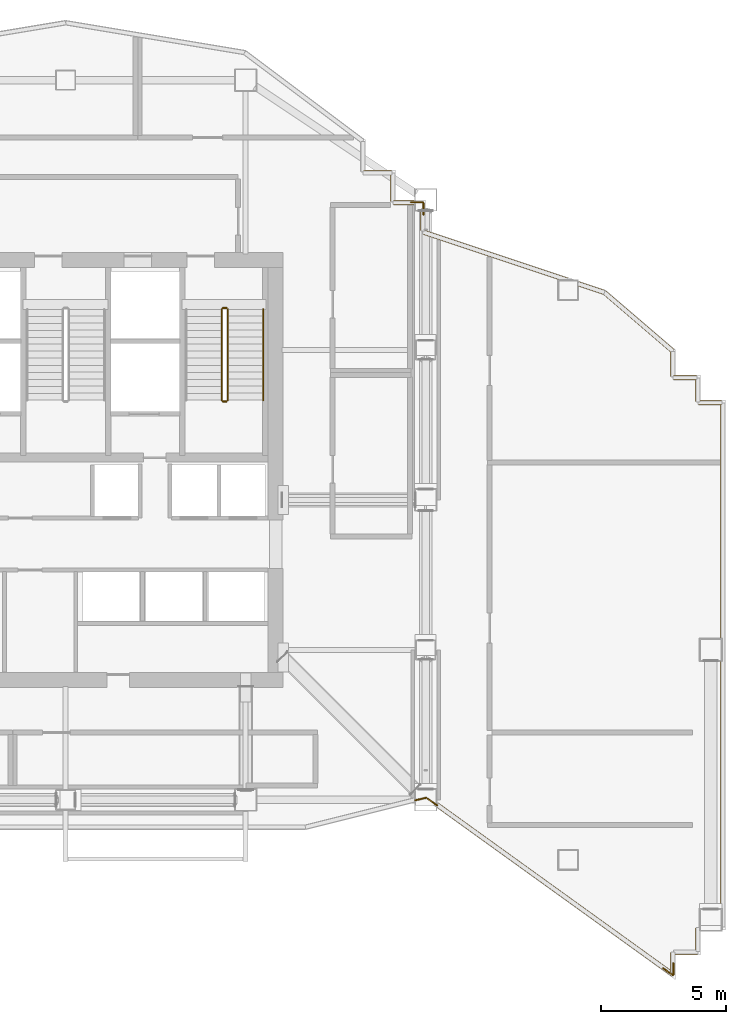
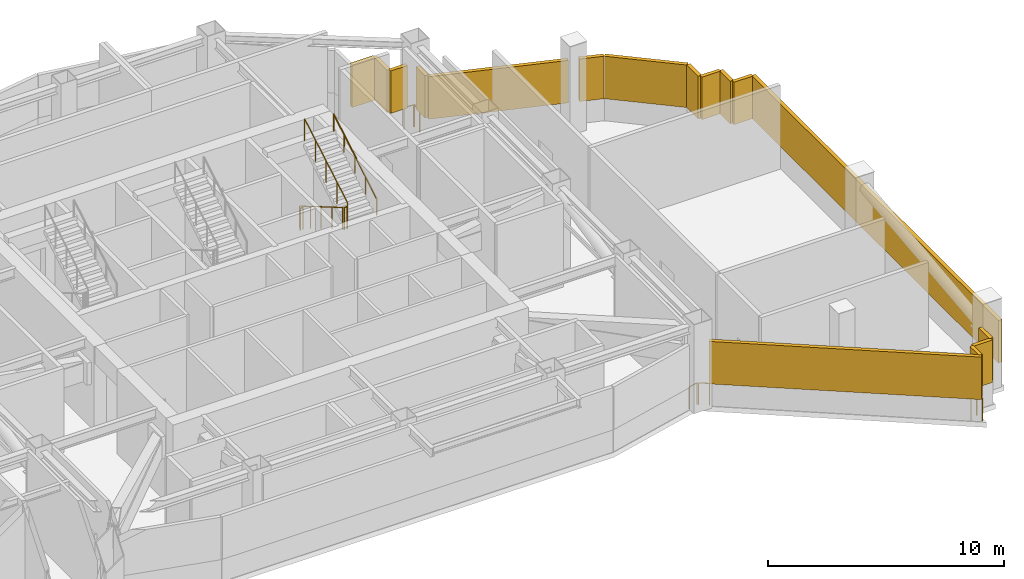
# One storey, part 18 of 19: 16 shading devices, 11 railings.
"""IFC4 building model written with IfcOpenShell, lengths in metres."""

import ifcopenshell
import ifcopenshell.guid

model = None  # the IFC model being written
_history = None  # IfcOwnerHistory: only IFC2X3 demands one
_inside = {}  # id of a spatial element -> (the spatial element, [elements in it])
_under = {}  # id of a project, library or spatial element -> (it, [spatial elements below it])
_declared = {}  # id of a project -> (the project, [libraries it declares])
_typed = {}  # id of a type object -> (the type object, [elements of that type])
_made_of = {}  # id of a material, layer set ... -> (it, [elements and type objects made of it])


def new_model(schema):
    """Start an empty IFC model of exactly this schema.

    Asked for "IFC4X3", IfcOpenShell would pick the latest addendum, in which some entities
    have other attributes; the version numbers below select the first issue.
    IFC2X3 requires an IfcOwnerHistory on every rooted entity: one is made here for all.
    """
    global model, _history
    if schema == "IFC4X3":
        model = ifcopenshell.file(schema_version=(4, 3, 0, 0))
    else:
        model = ifcopenshell.file(schema=schema)
    _inside.clear()
    _under.clear()
    _declared.clear()
    _typed.clear()
    _made_of.clear()
    _history = None
    if model.schema == "IFC2X3":
        org = make("IfcOrganization", Name="unknown")
        user = make(
            "IfcPersonAndOrganization",
            ThePerson=make("IfcPerson", FamilyName="unknown"),
            TheOrganization=org,
        )
        app = make(
            "IfcApplication",
            ApplicationDeveloper=org,
            Version="unknown",
            ApplicationFullName="unknown",
            ApplicationIdentifier="unknown",
        )
        _history = make(
            "IfcOwnerHistory",
            OwningUser=user,
            OwningApplication=app,
            ChangeAction="ADDED",
            CreationDate=0,
        )
    return model


def make(cls, **values):
    """One entity of the class cls with the attributes given. An attribute that is None is left unset."""
    return model.create_entity(
        cls, **{name: value for name, value in values.items() if value is not None}
    )


def rooted(cls, **values):
    """An entity with a GlobalId (a new one), such as an element, a storey or a relation."""
    return make(cls, GlobalId=ifcopenshell.guid.new(), OwnerHistory=_history, **values)


def si_unit(unit_type, name, prefix=None):
    """IfcSIUnit, for example si_unit("LENGTHUNIT", "METRE", prefix="MILLI")."""
    return make("IfcSIUnit", UnitType=unit_type, Prefix=prefix, Name=name)


def assignment(units):
    """IfcUnitAssignment: the units of a project."""
    return None if units is None else make("IfcUnitAssignment", Units=units)


def point(xyz):
    """IfcCartesianPoint."""
    return None if xyz is None else make("IfcCartesianPoint", Coordinates=xyz)


def direction(xyz):
    """IfcDirection."""
    return None if xyz is None else make("IfcDirection", DirectionRatios=xyz)


def frame(location, z_axis=None, x_axis=None):
    """IfcAxis2Placement3D, a coordinate frame: its origin and axes. An axis left out is left unset."""
    return make(
        "IfcAxis2Placement3D",
        Location=point(location),
        Axis=direction(z_axis),
        RefDirection=direction(x_axis),
    )


def frame_2d(location, x_axis=None):
    """IfcAxis2Placement2D, a coordinate frame in the plane: its origin and x axis."""
    return make(
        "IfcAxis2Placement2D", Location=point(location), RefDirection=direction(x_axis)
    )


def origin():
    """The frame at (0, 0, 0) with its axes left unset."""
    return frame((0.0, 0.0, 0.0))


def origin_2d():
    """The frame at (0, 0) in the plane with its x axis left unset."""
    return frame_2d((0.0, 0.0))


def place(relative_to, where):
    """IfcLocalPlacement: puts the frame where relative to a parent placement (None: the world)."""
    return make(
        "IfcLocalPlacement", PlacementRelTo=relative_to, RelativePlacement=where
    )


def context(
    kind, dimensions, precision=None, world=None, true_north=None, identifier=None
):
    """IfcGeometricRepresentationContext, for example the 3D "Model" context."""
    return make(
        "IfcGeometricRepresentationContext",
        ContextIdentifier=identifier,
        ContextType=kind,
        CoordinateSpaceDimension=dimensions,
        Precision=precision,
        WorldCoordinateSystem=world,
        TrueNorth=true_north,
    )


def subcontext(parent, identifier, kind, view, scale=None):
    """IfcGeometricRepresentationSubContext, for example "Body" below "Model"."""
    return make(
        "IfcGeometricRepresentationSubContext",
        ContextIdentifier=identifier,
        ContextType=kind,
        ParentContext=parent,
        TargetScale=scale,
        TargetView=view,
    )


def project(units=None, contexts=None):
    """IfcProject with its units and contexts."""
    return rooted(
        "IfcProject",
        Name="project",
        RepresentationContexts=contexts,
        UnitsInContext=assignment(units),
    )


def spatial(cls, under=None, at=None, **own):
    """A site, building, storey or space (cls), placed at a placement, below another one or the project."""
    s = rooted(cls, ObjectPlacement=at, **own)
    if under is not None:
        _under.setdefault(under.id(), (under, []))[1].append(s)
    return s


def profile(cls, at=None, kind="AREA", **sizes):
    """A parametric profile (cls). Its sizes go by their IFC names, for example OverallWidth=200.0."""
    return make(cls, ProfileType=kind, Position=at, **sizes)


def rectangle(**sizes):
    """IfcRectangleProfileDef."""
    return profile("IfcRectangleProfileDef", **sizes)


def circle(**sizes):
    """IfcCircleProfileDef."""
    return profile("IfcCircleProfileDef", **sizes)


def extrude(swept, where, along, depth):
    """IfcExtrudedAreaSolid: the profile swept, set in the frame where, extruded along a direction by depth."""
    return make(
        "IfcExtrudedAreaSolid",
        SweptArea=swept,
        Position=where,
        ExtrudedDirection=direction(along),
        Depth=depth,
    )


def shape(context_of_items, identifier, shape_type, items):
    """IfcShapeRepresentation: the items that make up one representation, for example the "Body"."""
    return make(
        "IfcShapeRepresentation",
        ContextOfItems=context_of_items,
        RepresentationIdentifier=identifier,
        RepresentationType=shape_type,
        Items=items,
    )


def material(Name=None, Category=None):
    """IfcMaterial."""
    return make("IfcMaterial", Name=Name, Category=Category)


def made_of(thing, what):
    """Note that an element or type object is made of a material, layer set ...; save() writes the relation."""
    if what is not None:
        _made_of.setdefault(what.id(), (what, []))[1].append(thing)
    return thing


def type_object(cls, material=None, **own):
    """A type object (cls), such as IfcWallType, which elements share."""
    return made_of(rooted(cls, **own), material)


def element(
    cls,
    number,
    at=None,
    inside=None,
    cuts=None,
    type_object=None,
    material=None,
    context=None,
    identifier="Body",
    shape_type=None,
    held_by="IfcProductDefinitionShape",
    body=None,
    shapes=None,
    **own,
):
    """One element of the class cls, such as IfcWall. Its Tag is "e" and its number.

    at: its placement. inside: the storey or other place that contains it. cuts: it is an
    opening in that element (IfcRelVoidsElement). A single representation is given by context,
    identifier, shape_type and body (its items); several are given by shapes. held_by: the class
    of the entity that holds the representations. save() writes the other relations.
    """
    e = rooted(cls, Tag="e%d" % number, ObjectPlacement=at, **own)
    if body is not None:
        shapes = [shape(context, identifier, shape_type, body)]
    if shapes is not None:
        e.Representation = make(held_by, Representations=shapes)
    if inside is not None:
        _inside.setdefault(inside.id(), (inside, []))[1].append(e)
    if cuts is not None:
        rooted(
            "IfcRelVoidsElement", RelatingBuildingElement=cuts, RelatedOpeningElement=e
        )
    if type_object is not None:
        _typed.setdefault(type_object.id(), (type_object, []))[1].append(e)
    return made_of(e, material)


def aggregate(whole, parts):
    """IfcRelAggregates: a whole, such as a stair, and the parts it consists of."""
    return rooted("IfcRelAggregates", RelatingObject=whole, RelatedObjects=parts)


def save(model, path):
    """Write the relations noted so far, then the file.

    IfcRelAggregates (storeys below a building ...), IfcRelContainedInSpatialStructure (elements
    in a storey), IfcRelDefinesByType, IfcRelAssociatesMaterial and IfcRelDeclares: one each for
    every whole, place, type object, material and project.
    """
    for whole, parts in _under.values():
        aggregate(whole, parts)
    for where, things in _inside.values():
        rooted(
            "IfcRelContainedInSpatialStructure",
            RelatedElements=things,
            RelatingStructure=where,
        )
    for kind, things in _typed.values():
        rooted("IfcRelDefinesByType", RelatedObjects=things, RelatingType=kind)
    for what, things in _made_of.values():
        rooted("IfcRelAssociatesMaterial", RelatedObjects=things, RelatingMaterial=what)
    for by, libraries in _declared.values():
        rooted("IfcRelDeclares", RelatingContext=by, RelatedDefinitions=libraries)
    model.write(path)


model = new_model("IFC4")

# Units and contexts
model_context = context("Model", 3, precision=1e-05, world=origin(), true_north=direction((0.0, 1.0)))
body_context = subcontext(model_context, "Body", "Model", "MODEL_VIEW")
ifc_project = project(units=[si_unit("LENGTHUNIT", "METRE"), si_unit("AREAUNIT", "SQUARE_METRE"), si_unit("VOLUMEUNIT", "CUBIC_METRE"), si_unit("PLANEANGLEUNIT", "RADIAN"), si_unit("MASSUNIT", "GRAM", prefix="KILO")], contexts=[model_context])

# Site, building, storey
site_placement = place(None, origin())
site = spatial("IfcSite", under=ifc_project, at=site_placement, CompositionType="ELEMENT")
building_placement = place(site_placement, origin())
building = spatial("IfcBuilding", under=site, at=building_placement, Name="Haolan Belvedere Tower", CompositionType="ELEMENT")
storey_placement = place(building_placement, frame((0.0, 0.0, 230.60009765625)))
storey = spatial("IfcBuildingStorey", under=building, at=storey_placement, Name="L58", CompositionType="ELEMENT", Elevation=230.60009765625)

# Railings
ifc_material_1 = material(Name="Galvanised powder-coated steel guardrail", Category="steel")
railing_type_1 = type_object("IfcRailingType", Name="RL-REF-GRD-1150", PredefinedType="GUARDRAIL", material=ifc_material_1)
railing_1_placement = place(storey_placement, frame((53.25830078125, 21.380859375, 0.0)))
element("IfcRailing", 1, at=railing_1_placement, inside=storey, type_object=railing_type_1, Name="L58 refuge corner safety guardrail 2A", PredefinedType="GUARDRAIL", context=body_context, shape_type="SweptSolid", body=[
    extrude(circle(Radius=0.02392578125, at=origin_2d()), frame((0.0, 0.0, 1.1259765625), z_axis=(-0.811445651793, 0.584427886215, 0.0), x_axis=(-0.584427886215, -0.811445651793, 0.0)), (0.0, 0.0, 1.0), 0.469970703125),
    extrude(circle(Radius=0.02099609375, at=origin_2d()), origin(), (0.0, 0.0, 1.0), 1.101806640625),
    extrude(circle(Radius=0.02099609375, at=origin_2d()), frame((-0.38134765625, 0.274658203125, 0.0)), (0.0, 0.0, 1.0), 1.101806640625),
])
railing_2_placement = place(storey_placement, frame((52.828125, 21.690673828125, 0.0)))
element("IfcRailing", 2, at=railing_2_placement, inside=storey, type_object=railing_type_1, Name="L58 refuge corner safety guardrail 2B", PredefinedType="GUARDRAIL", context=body_context, shape_type="SweptSolid", body=[
    extrude(circle(Radius=0.02392578125, at=origin_2d()), frame((0.0, 0.0, 1.1259765625), z_axis=(-0.974532291101, -0.224247215372, 0.0), x_axis=(0.224247215372, -0.974532291101, 0.0)), (0.0, 0.0, 1.0), 0.466064453125),
    extrude(circle(Radius=0.02099609375, at=origin_2d()), origin(), (0.0, 0.0, 1.0), 1.101806640625),
    extrude(circle(Radius=0.02099609375, at=origin_2d()), frame((-0.4541015625, -0.1044921875, 0.0)), (0.0, 0.0, 1.0), 1.101806640625),
])
railing_3_placement = place(storey_placement, frame((62.7099609375, 15.07568359375, 0.0)))
element("IfcRailing", 3, at=railing_3_placement, inside=storey, type_object=railing_type_1, Name="L58 refuge corner safety guardrail 3A", PredefinedType="GUARDRAIL", context=body_context, shape_type="SweptSolid", body=[
    extrude(circle(Radius=0.02392578125, at=origin_2d()), frame((0.0, 0.0, 1.1259765625), z_axis=(0.0, -1.0, 0.0), x_axis=(1.0, 0.0, 0.0)), (0.0, 0.0, 1.0), 0.469970703125),
    extrude(circle(Radius=0.02099609375, at=origin_2d()), origin(), (0.0, 0.0, 1.0), 1.101806640625),
    extrude(circle(Radius=0.02099609375, at=origin_2d()), frame((0.0, -0.469970703125, 0.0)), (0.0, 0.0, 1.0), 1.101806640625),
])
railing_4_placement = place(storey_placement, frame((62.685791015625, 14.59326171875, 0.0)))
element("IfcRailing", 4, at=railing_4_placement, inside=storey, type_object=railing_type_1, Name="L58 refuge corner safety guardrail 3B", PredefinedType="GUARDRAIL", context=body_context, shape_type="SweptSolid", body=[
    extrude(circle(Radius=0.02392578125, at=origin_2d()), frame((0.0, 0.0, 1.1259765625), z_axis=(-0.811622975054, 0.584181603925, 0.0), x_axis=(-0.584181603925, -0.811622975054, 0.0)), (0.0, 0.0, 1.0), 0.47021484375),
    extrude(circle(Radius=0.02099609375, at=origin_2d()), origin(), (0.0, 0.0, 1.0), 1.101806640625),
    extrude(circle(Radius=0.02099609375, at=origin_2d()), frame((-0.381591796875, 0.274658203125, 0.0)), (0.0, 0.0, 1.0), 1.101806640625),
])
railing_5_placement = place(storey_placement, frame((52.2099609375, 45.510009765625, 0.0)))
element("IfcRailing", 5, at=railing_5_placement, inside=storey, type_object=railing_type_1, Name="L58 refuge corner safety guardrail 4A", PredefinedType="GUARDRAIL", context=body_context, shape_type="SweptSolid", body=[
    extrude(circle(Radius=0.02392578125, at=origin_2d()), frame((0.0, 0.0, 1.1259765625), z_axis=(1.0, 0.0, 0.0), x_axis=(0.0, 1.0, 0.0)), (0.0, 0.0, 1.0), 0.469970703125),
    extrude(circle(Radius=0.02099609375, at=origin_2d()), origin(), (0.0, 0.0, 1.0), 1.101806640625),
    extrude(circle(Radius=0.02099609375, at=origin_2d()), frame((0.469970703125, 0.0, 0.0)), (0.0, 0.0, 1.0), 1.101806640625),
])
railing_6_placement = place(storey_placement, frame((52.7099609375, 45.47998046875, 0.0)))
element("IfcRailing", 6, at=railing_6_placement, inside=storey, type_object=railing_type_1, Name="L58 refuge corner safety guardrail 4B", PredefinedType="GUARDRAIL", context=body_context, shape_type="SweptSolid", body=[
    extrude(circle(Radius=0.02392578125, at=origin_2d()), frame((0.0, 0.0, 1.1259765625), z_axis=(0.0, -1.0, 0.0), x_axis=(1.0, 0.0, 0.0)), (0.0, 0.0, 1.0), 0.469970703125),
    extrude(circle(Radius=0.02099609375, at=origin_2d()), origin(), (0.0, 0.0, 1.0), 1.101806640625),
    extrude(circle(Radius=0.02099609375, at=origin_2d()), frame((0.0, -0.469970703125, 0.0)), (0.0, 0.0, 1.0), 1.101806640625),
])
ifc_material_2 = material(Name="Brushed stainless steel 304", Category="steel")
railing_type_2 = type_object("IfcRailingType", Name="RL-STAIR-GRD-1150", PredefinedType="GUARDRAIL", material=ifc_material_2)
railing_7_placement = place(storey_placement, frame((44.639892578125, 41.22998046875, 0.164306640625)))
element("IfcRailing", 7, at=railing_7_placement, inside=storey, type_object=railing_type_2, Name="L58 ST2 stair guard 1", PredefinedType="GUARDRAIL", context=body_context, shape_type="SweptSolid", body=[
    extrude(circle(Radius=0.02392578125, at=origin_2d()), frame((0.0, 0.0, 1.1259765625), z_axis=(0.0, -0.862515142463, 0.50603125301), x_axis=(1.0, 0.0, 0.0)), (0.0, 0.0, 1.0), 4.219970703125),
    extrude(circle(Radius=0.02099609375, at=origin_2d()), origin(), (0.0, 0.0, 1.0), 1.101806640625),
    extrude(circle(Radius=0.02099609375, at=origin_2d()), frame((0.0, -0.909912109375, 0.533935546875)), (0.0, 0.0, 1.0), 1.101806640625),
    extrude(circle(Radius=0.02099609375, at=origin_2d()), frame((0.0, -1.81982421875, 1.06787109375)), (0.0, 0.0, 1.0), 1.101806640625),
    extrude(circle(Radius=0.02099609375, at=origin_2d()), frame((0.0, -2.72998046875, 1.6015625)), (0.0, 0.0, 1.0), 1.101806640625),
    extrude(circle(Radius=0.02099609375, at=origin_2d()), frame((0.0, -3.639892578125, 2.135498046875)), (0.0, 0.0, 1.0), 1.101806640625),
])
railing_8_placement = place(storey_placement, frame((44.68994140625, 37.5400390625, 2.2998046875)))
element("IfcRailing", 8, at=railing_8_placement, inside=storey, type_object=railing_type_2, Name="L58 ST2 stair guard 2", PredefinedType="GUARDRAIL", context=body_context, shape_type="SweptSolid", body=[
    extrude(circle(Radius=0.02392578125, at=origin_2d()), frame((0.0, 0.0, 1.1259765625), z_axis=(1.0, 0.0, 0.0), x_axis=(0.0, 1.0, 0.0)), (0.0, 0.0, 1.0), 0.14013671875),
    extrude(circle(Radius=0.02099609375, at=origin_2d()), origin(), (0.0, 0.0, 1.0), 1.101806640625),
    extrude(circle(Radius=0.02099609375, at=origin_2d()), frame((0.14013671875, 0.0, 0.0)), (0.0, 0.0, 1.0), 1.101806640625),
])
railing_9_placement = place(storey_placement, frame((44.8798828125, 37.590087890625, 2.464111328125)))
element("IfcRailing", 9, at=railing_9_placement, inside=storey, type_object=railing_type_2, Name="L58 ST2 stair guard 3", PredefinedType="GUARDRAIL", context=body_context, shape_type="SweptSolid", body=[
    extrude(circle(Radius=0.02392578125, at=origin_2d()), frame((0.0, 0.0, 1.1259765625), z_axis=(0.0, 0.862489892076, 0.506074289079), x_axis=(-1.0, 0.0, 0.0)), (0.0, 0.0, 1.0), 4.22021484375),
    extrude(circle(Radius=0.02099609375, at=origin_2d()), origin(), (0.0, 0.0, 1.0), 1.101806640625),
    extrude(circle(Radius=0.02099609375, at=origin_2d()), frame((0.0, 0.909912109375, 0.533935546875)), (0.0, 0.0, 1.0), 1.101806640625),
    extrude(circle(Radius=0.02099609375, at=origin_2d()), frame((0.0, 1.81982421875, 1.06787109375)), (0.0, 0.0, 1.0), 1.101806640625),
    extrude(circle(Radius=0.02099609375, at=origin_2d()), frame((0.0, 2.72998046875, 1.601806640625)), (0.0, 0.0, 1.0), 1.101806640625),
    extrude(circle(Radius=0.02099609375, at=origin_2d()), frame((0.0, 3.639892578125, 2.1357421875)), (0.0, 0.0, 1.0), 1.101806640625),
])
railing_10_placement = place(storey_placement, frame((44.68994140625, 41.280029296875, 0.0)))
element("IfcRailing", 10, at=railing_10_placement, inside=storey, type_object=railing_type_2, Name="L58 ST2 stair guard 4", PredefinedType="GUARDRAIL", context=body_context, shape_type="SweptSolid", body=[
    extrude(circle(Radius=0.02392578125, at=origin_2d()), frame((0.0, 0.0, 1.1259765625), z_axis=(1.0, 0.0, 0.0), x_axis=(0.0, 1.0, 0.0)), (0.0, 0.0, 1.0), 0.14013671875),
    extrude(circle(Radius=0.02099609375, at=origin_2d()), origin(), (0.0, 0.0, 1.0), 1.101806640625),
    extrude(circle(Radius=0.02099609375, at=origin_2d()), frame((0.14013671875, 0.0, 0.0)), (0.0, 0.0, 1.0), 1.101806640625),
])
railing_type_3 = type_object("IfcRailingType", Name="RL-STAIR-HND-900", PredefinedType="HANDRAIL", material=ifc_material_2)
railing_11_placement = place(storey_placement, frame((46.300048828125, 37.590087890625, 2.464111328125)))
element("IfcRailing", 11, at=railing_11_placement, inside=storey, type_object=railing_type_3, Name="L58 ST2 stair handrail 2", PredefinedType="HANDRAIL", context=body_context, shape_type="SweptSolid", body=[
    extrude(circle(Radius=0.02392578125, at=origin_2d()), frame((0.0, 0.0, 0.8759765625), z_axis=(0.0, 0.862489892076, 0.506074289079), x_axis=(-1.0, 0.0, 0.0)), (0.0, 0.0, 1.0), 4.22021484375),
    extrude(circle(Radius=0.02099609375, at=origin_2d()), origin(), (0.0, 0.0, 1.0), 0.851806640625),
    extrude(circle(Radius=0.02099609375, at=origin_2d()), frame((0.0, 0.909912109375, 0.533935546875)), (0.0, 0.0, 1.0), 0.851806640625),
    extrude(circle(Radius=0.02099609375, at=origin_2d()), frame((0.0, 1.81982421875, 1.06787109375)), (0.0, 0.0, 1.0), 0.851806640625),
    extrude(circle(Radius=0.02099609375, at=origin_2d()), frame((0.0, 2.72998046875, 1.601806640625)), (0.0, 0.0, 1.0), 0.851806640625),
    extrude(circle(Radius=0.02099609375, at=origin_2d()), frame((0.0, 3.639892578125, 2.1357421875)), (0.0, 0.0, 1.0), 0.851806640625),
])

# Shading devices
ifc_material_3 = material(Name="Anodised champagne-silver aluminium 6063-T6", Category="aluminium")
shading_device_type = type_object("IfcShadingDeviceType", Name="SHD-LOUV-180", PredefinedType="JALOUSIE", material=ifc_material_3)
shading_device_1_placement = place(storey_placement, frame((57.966064453125, 18.01611328125, 1.14990234375), z_axis=(0.0, 0.0, 1.0), x_axis=(0.811533191666, -0.584306322766, 0.0)))
element("IfcShadingDevice", 12, at=shading_device_1_placement, inside=storey, type_object=shading_device_type, Name="L58 refuge storm-proof louvre bank 3.1", PredefinedType="JALOUSIE", context=body_context, shape_type="SweptSolid", body=[
    extrude(rectangle(XDim=11.602294921875, YDim=0.179931640625, at=origin_2d()), origin(), (0.0, 0.0, 1.0), 2.199951171875),
])
shading_device_2_placement = place(storey_placement, frame((62.68994140625, 15.107421875, 1.14990234375), z_axis=(0.0, 0.0, 1.0), x_axis=(0.0, 1.0, 0.0)))
element("IfcShadingDevice", 13, at=shading_device_2_placement, inside=storey, type_object=shading_device_type, Name="L58 refuge storm-proof louvre bank 4.1", PredefinedType="JALOUSIE", context=body_context, shape_type="SweptSolid", body=[
    extrude(rectangle(XDim=0.765380859375, YDim=0.179931640625, at=origin_2d()), origin(), (0.0, 0.0, 1.0), 2.199951171875),
])
for number, where, z_axis, x_axis, name in (
    (14, (63.205078125, 15.510009765625, 1.14990234375), (0.0, 0.0, 1.0), (1.0, 0.0, 0.0), "L58 refuge storm-proof louvre bank 5.1"),
    (15, (63.68994140625, 16.02490234375, 1.14990234375), (0.0, 0.0, 1.0), (0.0, 1.0, 0.0), "L58 refuge storm-proof louvre bank 6.1"),
):
    element("IfcShadingDevice", number, at=place(storey_placement, frame(where, z_axis=z_axis, x_axis=x_axis)), inside=storey, type_object=shading_device_type, Name=name, PredefinedType="JALOUSIE", context=body_context, shape_type="SweptSolid", body=[
        extrude(rectangle(XDim=0.929931640625, YDim=0.179931640625, at=origin_2d()), origin(), (0.0, 0.0, 1.0), 2.199951171875),
    ])
shading_device_3_placement = place(storey_placement, frame((64.68994140625, 27.0, 1.14990234375), z_axis=(0.0, 0.0, 1.0), x_axis=(0.0, 1.0, 0.0)))
element("IfcShadingDevice", 16, at=shading_device_3_placement, inside=storey, type_object=shading_device_type, Name="L58 refuge storm-proof louvre bank 8.1", PredefinedType="JALOUSIE", context=body_context, shape_type="SweptSolid", body=[
    extrude(rectangle(XDim=20.93994140625, YDim=0.179931640625, at=origin_2d()), origin(), (0.0, 0.0, 1.0), 2.199951171875),
])
for number, where, z_axis, x_axis, name in (
    (17, (64.175048828125, 37.489990234375, 1.14990234375), (0.0, 0.0, 1.0), (-1.0, 0.0, 0.0), "L58 refuge storm-proof louvre bank 9.1"),
    (18, (63.68994140625, 38.0048828125, 1.14990234375), (0.0, 0.0, 1.0), (0.0, 1.0, 0.0), "L58 refuge storm-proof louvre bank 10.1"),
    (19, (63.175048828125, 38.489990234375, 1.14990234375), (0.0, 0.0, 1.0), (-1.0, 0.0, 0.0), "L58 refuge storm-proof louvre bank 11.1"),
):
    element("IfcShadingDevice", number, at=place(storey_placement, frame(where, z_axis=z_axis, x_axis=x_axis)), inside=storey, type_object=shading_device_type, Name=name, PredefinedType="JALOUSIE", context=body_context, shape_type="SweptSolid", body=[
        extrude(rectangle(XDim=0.929931640625, YDim=0.179931640625, at=origin_2d()), origin(), (0.0, 0.0, 1.0), 2.199951171875),
    ])
shading_device_4_placement = place(storey_placement, frame((62.68994140625, 39.03466796875, 1.14990234375), z_axis=(0.0, 0.0, 1.0), x_axis=(0.0, 1.0, 0.0)))
element("IfcShadingDevice", 20, at=shading_device_4_placement, inside=storey, type_object=shading_device_type, Name="L58 refuge storm-proof louvre bank 12.1", PredefinedType="JALOUSIE", context=body_context, shape_type="SweptSolid", body=[
    extrude(rectangle(XDim=0.989501953125, YDim=0.179931640625, at=origin_2d()), origin(), (0.0, 0.0, 1.0), 2.199951171875),
])
shading_device_5_placement = place(storey_placement, frame((61.3173828125, 40.725830078125, 1.14990234375), z_axis=(0.0, 0.0, 1.0), x_axis=(-0.759248590567, 0.650800720438, 0.0)))
element("IfcShadingDevice", 21, at=shading_device_5_placement, inside=storey, type_object=shading_device_type, Name="L58 refuge storm-proof louvre bank 13.1", PredefinedType="JALOUSIE", context=body_context, shape_type="SweptSolid", body=[
    extrude(rectangle(XDim=3.57568359375, YDim=0.179931640625, at=origin_2d()), origin(), (0.0, 0.0, 1.0), 2.199951171875),
])
shading_device_6_placement = place(storey_placement, frame((59.41845703125, 42.077880859375, 1.14990234375), z_axis=(0.0, 0.0, 1.0), x_axis=(-0.948694053476, 0.316195497912, 0.0)))
element("IfcShadingDevice", 22, at=shading_device_6_placement, inside=storey, type_object=shading_device_type, Name="L58 refuge storm-proof louvre bank 14.1", PredefinedType="JALOUSIE", context=body_context, shape_type="SweptSolid", body=[
    extrude(rectangle(XDim=1.069580078125, YDim=0.179931640625, at=origin_2d()), origin(), (0.0, 0.0, 1.0), 2.199951171875),
])
shading_device_7_placement = place(storey_placement, frame((55.583251953125, 43.3564453125, 1.14990234375), z_axis=(0.0, 0.0, 1.0), x_axis=(-0.948688534679, 0.316212055698, 0.0)))
element("IfcShadingDevice", 23, at=shading_device_7_placement, inside=storey, type_object=shading_device_type, Name="L58 refuge storm-proof louvre bank 14.2", PredefinedType="JALOUSIE", context=body_context, shape_type="SweptSolid", body=[
    extrude(rectangle(XDim=6.059326171875, YDim=0.179931640625, at=origin_2d()), origin(), (0.0, 0.0, 1.0), 2.199951171875),
])
shading_device_8_placement = place(storey_placement, frame((52.68994140625, 44.75439453125, 1.14990234375), z_axis=(0.0, 0.0, 1.0), x_axis=(0.0, 1.0, 0.0)))
element("IfcShadingDevice", 24, at=shading_device_8_placement, inside=storey, type_object=shading_device_type, Name="L58 refuge storm-proof louvre bank 15.1", PredefinedType="JALOUSIE", context=body_context, shape_type="SweptSolid", body=[
    extrude(rectangle(XDim=0.767333984375, YDim=0.179931640625, at=origin_2d()), origin(), (0.0, 0.0, 1.0), 2.199951171875),
])
shading_device_9_placement = place(storey_placement, frame((51.924072265625, 45.489990234375, 1.14990234375), z_axis=(0.0, 0.0, 1.0), x_axis=(-1.0, 0.0, 0.0)))
element("IfcShadingDevice", 25, at=shading_device_9_placement, inside=storey, type_object=shading_device_type, Name="L58 refuge storm-proof louvre bank 16.1", PredefinedType="JALOUSIE", context=body_context, shape_type="SweptSolid", body=[
    extrude(rectangle(XDim=0.827880859375, YDim=0.179931640625, at=origin_2d()), origin(), (0.0, 0.0, 1.0), 2.199951171875),
])
for number, where, z_axis, x_axis, name in (
    (26, (51.489990234375, 46.10498046875, 1.14990234375), (0.0, 0.0, 1.0), (0.0, 1.0, 0.0), "L58 refuge storm-proof louvre bank 17.1"),
    (27, (50.875, 46.68994140625, 1.14990234375), (0.0, 0.0, 1.0), (-1.0, 0.0, 0.0), "L58 refuge storm-proof louvre bank 18.1"),
):
    element("IfcShadingDevice", number, at=place(storey_placement, frame(where, z_axis=z_axis, x_axis=x_axis)), inside=storey, type_object=shading_device_type, Name=name, PredefinedType="JALOUSIE", context=body_context, shape_type="SweptSolid", body=[
        extrude(rectangle(XDim=1.1298828125, YDim=0.179931640625, at=origin_2d()), origin(), (0.0, 0.0, 1.0), 2.199951171875),
    ])

save(model, "model.ifc")
